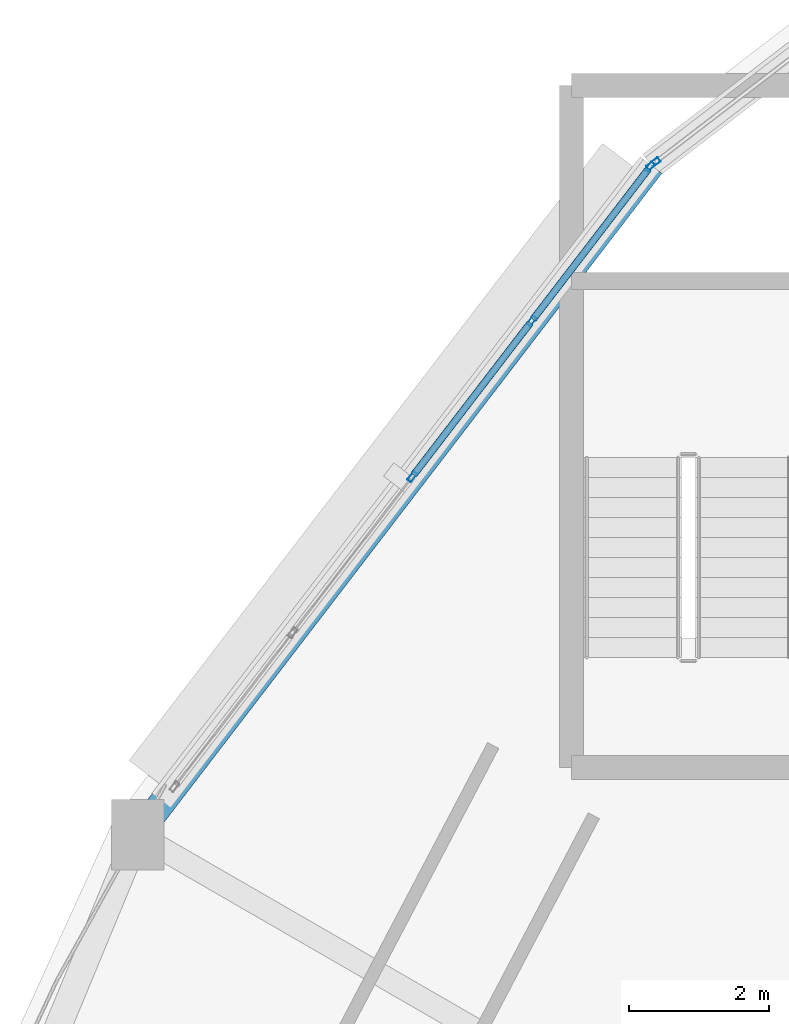
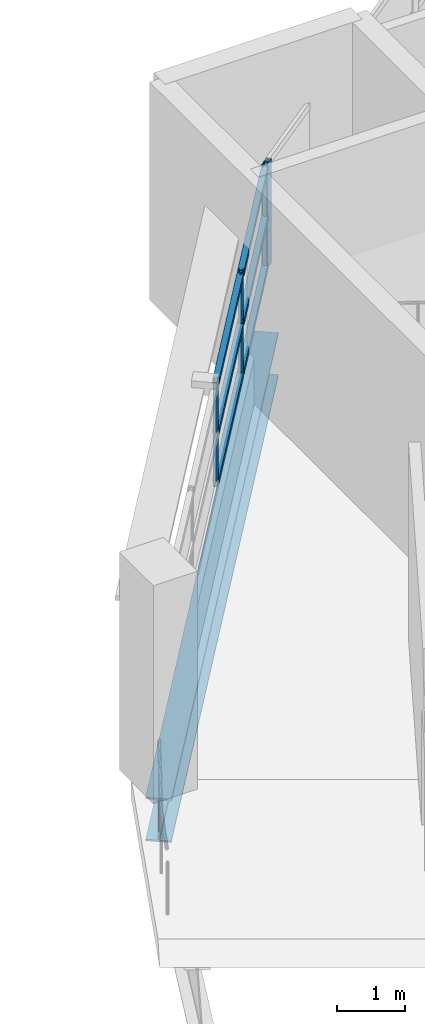
# One storey, part 42 of 121: 10 members, 1 beam, 2 elements without a shape of their own.
"""IFC4 building model written with IfcOpenShell, lengths in metres."""

from ifc_helpers import new_model, si_unit, direction, frame, origin, origin_2d, place, context, subcontext, project, spatial, hollow_rectangle, i_section, extrude, material, layer, layer_set, material_profile, profile_set, type_object, element, aggregate, save


model = new_model("IFC4")

# Units and contexts
model_context = context("Model", 3, precision=1e-05, world=origin(), true_north=direction((0.0, 1.0)))
body_context = subcontext(model_context, "Body", "Model", "MODEL_VIEW")
ifc_project = project(units=[si_unit("LENGTHUNIT", "METRE"), si_unit("AREAUNIT", "SQUARE_METRE"), si_unit("VOLUMEUNIT", "CUBIC_METRE"), si_unit("PLANEANGLEUNIT", "RADIAN"), si_unit("MASSUNIT", "GRAM", prefix="KILO")], contexts=[model_context])

# Site, building, storey
site_placement = place(None, origin())
site = spatial("IfcSite", under=ifc_project, at=site_placement, CompositionType="ELEMENT")
building_placement = place(site_placement, origin())
building = spatial("IfcBuilding", under=site, at=building_placement, Name="Vespera Passage Community Centre", CompositionType="ELEMENT")
storey_placement = place(building_placement, frame((0.0, 0.0, 8.699951171875)))
storey = spatial("IfcBuildingStorey", under=building, at=storey_placement, Name="L02", CompositionType="ELEMENT", Elevation=8.699951171875)

# Beam
ifc_material_1 = material(Name="Steel ASTM A992 Grade 50", Category="steel")
ifc_material_profile_1 = material_profile(ifc_material_1, i_section(OverallWidth=0.382080078125, OverallDepth=0.779296875, WebThickness=0.01806640625, FlangeThickness=0.030029296875, FilletRadius=0.0166015625, at=origin_2d()), Name="W30X191")
ifc_profile_set_1 = profile_set([ifc_material_profile_1], Name="Steel ASTM A992 Grade 50")
beam_type = type_object("IfcBeamType", Name="BM-SP-W30X191E", PredefinedType="SPANDREL", material=ifc_profile_set_1)
beam_placement = place(storey_placement, frame((45.40234375, 98.09765625, -0.729736328125), z_axis=(-0.608763261066, -0.793351934501, 0.0), x_axis=(0.793351934501, -0.608763261066, 0.0)))
element("IfcBeam", 1, at=beam_placement, inside=storey, type_object=beam_type, Name="V4 L02 Outer Spandrel 9", PredefinedType="SPANDREL", context=body_context, shape_type="SweptSolid", body=[
    extrude(i_section(OverallWidth=0.382080078125, OverallDepth=0.779296875, WebThickness=0.01806640625, FlangeThickness=0.030029296875, FilletRadius=0.0166015625, at=origin_2d()), origin(), (0.0, 0.0, 1.0), 12.034423828125),
])

# Curtain wall, members
ifc_material_2 = material(Name="Anodized aluminium 6063-T6", Category="aluminium")
ifc_layer_1 = layer(ifc_material_2, 0.159912109375)
ifc_layer_set_1 = layer_set([ifc_layer_1], Name="Anodized aluminium 6063-T6")
curtain_wall_type_1 = type_object("IfcCurtainWallType", Name="CW-31E", PredefinedType="NOTDEFINED", material=ifc_layer_set_1)
curtain_wall_1_placement = place(storey_placement, origin())
curtain_wall_1 = element("IfcCurtainWall", 2, at=curtain_wall_1_placement, inside=storey, type_object=curtain_wall_type_1, Name="V4 L02 Outer Ribbon Curtain Wall 9", PredefinedType="NOTDEFINED")
ifc_material_3 = material(Name="Anodized aluminium 6063-T6", Category="aluminium")
ifc_material_profile_2 = material_profile(ifc_material_3, hollow_rectangle(XDim=0.06494140625, YDim=0.14990234375, WallThickness=0.00390625, InnerFilletRadius=0.001953125, OuterFilletRadius=0.00390625, at=origin_2d()), Name="ALU150X65X4")
ifc_profile_set_2 = profile_set([ifc_material_profile_2], Name="Anodized aluminium 6063-T6")
member_type_1 = type_object("IfcMemberType", Name="MB-CWM-150E", PredefinedType="MULLION", material=ifc_profile_set_2)
member_1_placement = place(storey_placement, frame((41.9921875, 93.653564453125, 0.820068359375), z_axis=(0.0, 0.0, 1.0), x_axis=(-0.793350429062, 0.608765222978, 0.0)))
member_1 = element("IfcMember", 3, at=member_1_placement, type_object=member_type_1, Name="CW-31E mullion 3", PredefinedType="MULLION", context=body_context, shape_type="SweptSolid", body=[
    extrude(hollow_rectangle(XDim=0.06494140625, YDim=0.14990234375, WallThickness=0.00390625, InnerFilletRadius=0.001953125, OuterFilletRadius=0.00390625, at=origin_2d()), origin(), (0.0, 0.0, 1.0), 1.865478515625),
])
member_2_placement = place(storey_placement, frame((43.697265625, 95.87548828125, 0.820068359375), z_axis=(0.0, 0.0, 1.0), x_axis=(-0.793350429062, 0.608765222978, 0.0)))
member_2 = element("IfcMember", 4, at=member_2_placement, type_object=member_type_1, Name="CW-31E mullion 4", PredefinedType="MULLION", context=body_context, shape_type="SweptSolid", body=[
    extrude(hollow_rectangle(XDim=0.06494140625, YDim=0.14990234375, WallThickness=0.00390625, InnerFilletRadius=0.001953125, OuterFilletRadius=0.00390625, at=origin_2d()), origin(), (0.0, 0.0, 1.0), 1.865478515625),
])
member_3_placement = place(storey_placement, frame((45.382568359375, 98.07177734375, 0.820068359375), z_axis=(0.0, 0.0, 1.0), x_axis=(-0.793350429062, 0.608765222978, 0.0)))
member_3 = element("IfcMember", 5, at=member_3_placement, type_object=member_type_1, Name="CW-31E mullion 5", PredefinedType="MULLION", context=body_context, shape_type="SweptSolid", body=[
    extrude(hollow_rectangle(XDim=0.06494140625, YDim=0.14990234375, WallThickness=0.00390625, InnerFilletRadius=0.001953125, OuterFilletRadius=0.00390625, at=origin_2d()), origin(), (0.0, 0.0, 1.0), 1.865478515625),
])

# Curtain wall, member
ifc_material_4 = material(Name="Anodized aluminium 6063-T6", Category="aluminium")
ifc_layer_2 = layer(ifc_material_4, 0.159912109375)
ifc_layer_set_2 = layer_set([ifc_layer_2], Name="Anodized aluminium 6063-T6")
curtain_wall_type_2 = type_object("IfcCurtainWallType", Name="CW-29E", PredefinedType="NOTDEFINED", material=ifc_layer_set_2)
curtain_wall_2_placement = place(storey_placement, origin())
curtain_wall_2 = element("IfcCurtainWall", 6, at=curtain_wall_2_placement, inside=storey, type_object=curtain_wall_type_2, Name="V4 L02 Outer Ribbon Curtain Wall 8", PredefinedType="NOTDEFINED")
ifc_material_5 = material(Name="Anodized aluminium 6063-T6", Category="aluminium")
ifc_material_profile_3 = material_profile(ifc_material_5, hollow_rectangle(XDim=0.074951171875, YDim=0.2099609375, WallThickness=0.0048828125, InnerFilletRadius=0.00244140625, OuterFilletRadius=0.0048828125, at=origin_2d()), Name="ALU210X75X5")
ifc_profile_set_3 = profile_set([ifc_material_profile_3], Name="Anodized aluminium 6063-T6")
member_type_2 = type_object("IfcMemberType", Name="MB-CWM-210E", PredefinedType="MULLION", material=ifc_profile_set_3)
member_4_placement = place(storey_placement, frame((45.43212890625, 98.120361328125, 0.820068359375), z_axis=(0.0, 0.0, 1.0), x_axis=(-0.608768221519, 0.793348128169, 0.0)))
member_4 = element("IfcMember", 7, at=member_4_placement, type_object=member_type_2, Name="CW-29E mullion 1", PredefinedType="MULLION", context=body_context, shape_type="SweptSolid", body=[
    extrude(hollow_rectangle(XDim=0.074951171875, YDim=0.2099609375, WallThickness=0.0048828125, InnerFilletRadius=0.00244140625, OuterFilletRadius=0.0048828125, at=origin_2d()), origin(), (0.0, 0.0, 1.0), 1.865478515625),
])
aggregate(curtain_wall_2, [member_4])

# Member
ifc_material_6 = material(Name="Anodized aluminium 6063-T6", Category="aluminium")
ifc_material_profile_4 = material_profile(ifc_material_6, hollow_rectangle(XDim=0.10009765625, YDim=0.10009765625, WallThickness=0.00390625, InnerFilletRadius=0.001953125, OuterFilletRadius=0.00390625, at=origin_2d()), Name="ALU100X100X4")
ifc_profile_set_4 = profile_set([ifc_material_profile_4], Name="Anodized aluminium 6063-T6")
member_type_3 = type_object("IfcMemberType", Name="MB-CWT-100E", PredefinedType="USERDEFINED", material=ifc_profile_set_4)
member_5_placement = place(storey_placement, frame((42.011962890625, 93.67919921875, 0.8701171875), z_axis=(0.608744341023, 0.793366452072, 0.0), x_axis=(-0.793366452072, 0.608744341023, 0.0)))
member_5 = element("IfcMember", 8, at=member_5_placement, type_object=member_type_3, Name="CW-31E transom 3.1", ObjectType="TRANSOM", PredefinedType="USERDEFINED", context=body_context, shape_type="SweptSolid", body=[
    extrude(hollow_rectangle(XDim=0.10009765625, YDim=0.10009765625, WallThickness=0.00390625, InnerFilletRadius=0.001953125, OuterFilletRadius=0.00390625, at=origin_2d()), origin(), (0.0, 0.0, 1.0), 2.736083984375),
])

member_6_placement = place(storey_placement, frame((42.011962890625, 93.67919921875, 1.7529296875), z_axis=(0.608744341023, 0.793366452072, 0.0), x_axis=(-0.793366452072, 0.608744341023, 0.0)))
member_6 = element("IfcMember", 9, at=member_6_placement, type_object=member_type_3, Name="CW-31E transom 3.2", ObjectType="TRANSOM", PredefinedType="USERDEFINED", context=body_context, shape_type="SweptSolid", body=[
    extrude(hollow_rectangle(XDim=0.10009765625, YDim=0.10009765625, WallThickness=0.00390625, InnerFilletRadius=0.001953125, OuterFilletRadius=0.00390625, at=origin_2d()), origin(), (0.0, 0.0, 1.0), 2.736083984375),
])

member_7_placement = place(storey_placement, frame((42.011962890625, 93.67919921875, 2.6357421875), z_axis=(0.608744341023, 0.793366452072, 0.0), x_axis=(-0.793366452072, 0.608744341023, 0.0)))
member_7 = element("IfcMember", 10, at=member_7_placement, type_object=member_type_3, Name="CW-31E transom 3.3", ObjectType="TRANSOM", PredefinedType="USERDEFINED", context=body_context, shape_type="SweptSolid", body=[
    extrude(hollow_rectangle(XDim=0.10009765625, YDim=0.10009765625, WallThickness=0.00390625, InnerFilletRadius=0.001953125, OuterFilletRadius=0.00390625, at=origin_2d()), origin(), (0.0, 0.0, 1.0), 2.736083984375),
])

member_8_placement = place(storey_placement, frame((43.717041015625, 95.9013671875, 0.8701171875), z_axis=(0.60876327124, 0.793351926694, 0.0), x_axis=(-0.793351926694, 0.60876327124, 0.0)))
member_8 = element("IfcMember", 11, at=member_8_placement, type_object=member_type_3, Name="CW-31E transom 4.1", ObjectType="TRANSOM", PredefinedType="USERDEFINED", context=body_context, shape_type="SweptSolid", body=[
    extrude(hollow_rectangle(XDim=0.10009765625, YDim=0.10009765625, WallThickness=0.00390625, InnerFilletRadius=0.001953125, OuterFilletRadius=0.00390625, at=origin_2d()), origin(), (0.0, 0.0, 1.0), 2.703369140625),
])

member_9_placement = place(storey_placement, frame((43.717041015625, 95.9013671875, 1.7529296875), z_axis=(0.60876327124, 0.793351926694, 0.0), x_axis=(-0.793351926694, 0.60876327124, 0.0)))
member_9 = element("IfcMember", 12, at=member_9_placement, type_object=member_type_3, Name="CW-31E transom 4.2", ObjectType="TRANSOM", PredefinedType="USERDEFINED", context=body_context, shape_type="SweptSolid", body=[
    extrude(hollow_rectangle(XDim=0.10009765625, YDim=0.10009765625, WallThickness=0.00390625, InnerFilletRadius=0.001953125, OuterFilletRadius=0.00390625, at=origin_2d()), origin(), (0.0, 0.0, 1.0), 2.703369140625),
])

member_10_placement = place(storey_placement, frame((43.717041015625, 95.9013671875, 2.6357421875), z_axis=(0.60876327124, 0.793351926694, 0.0), x_axis=(-0.793351926694, 0.60876327124, 0.0)))
member_10 = element("IfcMember", 13, at=member_10_placement, type_object=member_type_3, Name="CW-31E transom 4.3", ObjectType="TRANSOM", PredefinedType="USERDEFINED", context=body_context, shape_type="SweptSolid", body=[
    extrude(hollow_rectangle(XDim=0.10009765625, YDim=0.10009765625, WallThickness=0.00390625, InnerFilletRadius=0.001953125, OuterFilletRadius=0.00390625, at=origin_2d()), origin(), (0.0, 0.0, 1.0), 2.703369140625),
])

aggregate(curtain_wall_1, [member_1, member_2, member_3, member_5, member_6, member_7, member_8, member_9, member_10])

save(model, "model.ifc")
